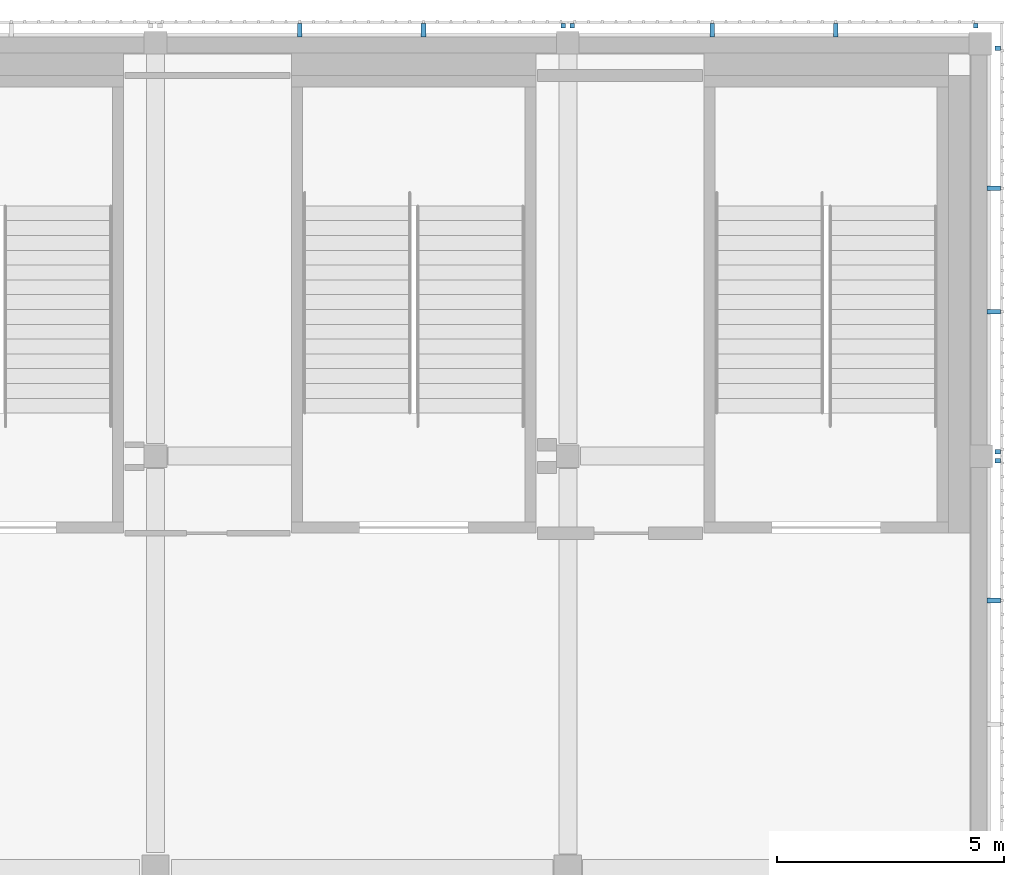
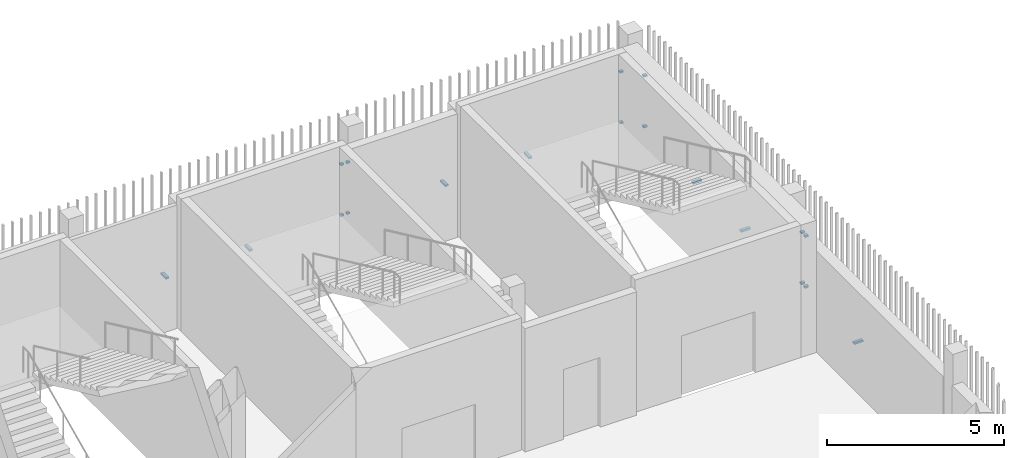
# One storey, part 102 of 124: 19 discrete accessories.
"""IFC4 building model written with IfcOpenShell, lengths in metres."""

from ifc_helpers import new_model, si_unit, direction, frame, origin, origin_2d, place, context, subcontext, project, spatial, rectangle, extrude, material, type_object, element, save


model = new_model("IFC4")

# Units and contexts
model_context = context("Model", 3, precision=1e-05, world=origin(), true_north=direction((0.0, 1.0)))
body_context = subcontext(model_context, "Body", "Model", "MODEL_VIEW")
ifc_project = project(units=[si_unit("LENGTHUNIT", "METRE"), si_unit("AREAUNIT", "SQUARE_METRE"), si_unit("VOLUMEUNIT", "CUBIC_METRE"), si_unit("PLANEANGLEUNIT", "RADIAN"), si_unit("MASSUNIT", "GRAM", prefix="KILO")], contexts=[model_context])

# Site, building, storey
site_placement = place(None, origin())
site = spatial("IfcSite", under=ifc_project, at=site_placement, CompositionType="ELEMENT")
building_placement = place(site_placement, origin())
building = spatial("IfcBuilding", under=site, at=building_placement, Name="Shirokan Park Arena", CompositionType="ELEMENT")
storey_placement = place(building_placement, frame((0.0, 0.0, 20.02001953125)))
storey = spatial("IfcBuildingStorey", under=building, at=storey_placement, Name="L04", CompositionType="ELEMENT", Elevation=20.02001953125)

# Discrete accessories
ifc_material = material(Name="Steel S355", Category="steel")
discrete_accessory_type = type_object("IfcDiscreteAccessoryType", Name="Veil bracket 100x60", PredefinedType="BRACKET", material=ifc_material)
for number, where, z_axis, x_axis, name in (
    (1, (145.985107421875, 100.0, 1.070068359375), (0.0, 0.0, 1.0), (0.0, 1.0, 0.0), "Veil bracket east bay 11 L04 2"),
    (2, (145.985107421875, 100.0, 2.820068359375), (0.0, 0.0, 1.0), (0.0, 1.0, 0.0), "Veil bracket east bay 11 L04 4"),
):
    element("IfcDiscreteAccessory", number, at=place(storey_placement, frame(where, z_axis=z_axis, x_axis=x_axis)), inside=storey, type_object=discrete_accessory_type, Name=name, PredefinedType="BRACKET", context=body_context, shape_type="SweptSolid", body=[
        extrude(rectangle(XDim=0.10009765625, YDim=0.1201171875, at=origin_2d()), origin(), (0.0, 0.0, 1.0), 0.06005859375),
    ])
discrete_accessory_placement = place(storey_placement, frame((145.8974609375, 96.9150390625, 1.070068359375), z_axis=(0.0, 0.0, 1.0), x_axis=(0.0, 1.0, 0.0)))
element("IfcDiscreteAccessory", 3, at=discrete_accessory_placement, inside=storey, type_object=discrete_accessory_type, Name="Veil bracket east bay 11 L04 wall 2", PredefinedType="BRACKET", context=body_context, shape_type="SweptSolid", body=[
    extrude(rectangle(XDim=0.10009765625, YDim=0.294921875, at=origin_2d()), origin(), (0.0, 0.0, 1.0), 0.06005859375),
])
for number, where, z_axis, x_axis, name in (
    (4, (145.985107421875, 100.199951171875, 1.070068359375), (0.0, 0.0, 1.0), (0.0, 1.0, 0.0), "Veil bracket east bay 12 L04 1"),
    (5, (145.985107421875, 109.10009765625, 1.070068359375), (0.0, 0.0, 1.0), (0.0, 1.0, 0.0), "Veil bracket east bay 12 L04 2"),
    (6, (145.985107421875, 100.199951171875, 2.820068359375), (0.0, 0.0, 1.0), (0.0, 1.0, 0.0), "Veil bracket east bay 12 L04 3"),
    (7, (145.985107421875, 109.10009765625, 2.820068359375), (0.0, 0.0, 1.0), (0.0, 1.0, 0.0), "Veil bracket east bay 12 L04 4"),
):
    element("IfcDiscreteAccessory", number, at=place(storey_placement, frame(where, z_axis=z_axis, x_axis=x_axis)), inside=storey, type_object=discrete_accessory_type, Name=name, PredefinedType="BRACKET", context=body_context, shape_type="SweptSolid", body=[
        extrude(rectangle(XDim=0.10009765625, YDim=0.1201171875, at=origin_2d()), origin(), (0.0, 0.0, 1.0), 0.06005859375),
    ])
for number, where, z_axis, x_axis, name in (
    (8, (145.8974609375, 103.284912109375, 1.070068359375), (0.0, 0.0, 1.0), (0.0, 1.0, 0.0), "Veil bracket east bay 12 L04 wall 1"),
    (9, (145.8974609375, 106.014892578125, 1.070068359375), (0.0, 0.0, 1.0), (0.0, 1.0, 0.0), "Veil bracket east bay 12 L04 wall 2"),
):
    element("IfcDiscreteAccessory", number, at=place(storey_placement, frame(where, z_axis=z_axis, x_axis=x_axis)), inside=storey, type_object=discrete_accessory_type, Name=name, PredefinedType="BRACKET", context=body_context, shape_type="SweptSolid", body=[
        extrude(rectangle(XDim=0.10009765625, YDim=0.294921875, at=origin_2d()), origin(), (0.0, 0.0, 1.0), 0.06005859375),
    ])
for number, where, z_axis, x_axis, name in (
    (10, (145.5, 109.597412109375, 1.070068359375), (0.0, 0.0, 1.0), (-1.0, 0.0, 0.0), "Veil bracket north bay 1 L04 1"),
    (11, (136.60009765625, 109.597412109375, 1.070068359375), (0.0, 0.0, 1.0), (-1.0, 0.0, 0.0), "Veil bracket north bay 1 L04 2"),
    (12, (145.5, 109.597412109375, 2.820068359375), (0.0, 0.0, 1.0), (-1.0, 0.0, 0.0), "Veil bracket north bay 1 L04 3"),
    (13, (136.60009765625, 109.597412109375, 2.820068359375), (0.0, 0.0, 1.0), (-1.0, 0.0, 0.0), "Veil bracket north bay 1 L04 4"),
):
    element("IfcDiscreteAccessory", number, at=place(storey_placement, frame(where, z_axis=z_axis, x_axis=x_axis)), inside=storey, type_object=discrete_accessory_type, Name=name, PredefinedType="BRACKET", context=body_context, shape_type="SweptSolid", body=[
        extrude(rectangle(XDim=0.10009765625, YDim=0.094970703125, at=origin_2d()), origin(), (0.0, 0.0, 1.0), 0.06005859375),
    ])
for number, where, z_axis, x_axis, name in (
    (14, (142.4150390625, 109.49755859375, 1.070068359375), (0.0, 0.0, 1.0), (-1.0, 0.0, 0.0), "Veil bracket north bay 1 L04 wall 1"),
    (15, (139.68505859375, 109.49755859375, 1.070068359375), (0.0, 0.0, 1.0), (-1.0, 0.0, 0.0), "Veil bracket north bay 1 L04 wall 2"),
):
    element("IfcDiscreteAccessory", number, at=place(storey_placement, frame(where, z_axis=z_axis, x_axis=x_axis)), inside=storey, type_object=discrete_accessory_type, Name=name, PredefinedType="BRACKET", context=body_context, shape_type="SweptSolid", body=[
        extrude(rectangle(XDim=0.10009765625, YDim=0.294921875, at=origin_2d()), origin(), (0.0, 0.0, 1.0), 0.06005859375),
    ])
for number, where, z_axis, x_axis, name in (
    (16, (136.39990234375, 109.597412109375, 1.070068359375), (0.0, 0.0, 1.0), (-1.0, 0.0, 0.0), "Veil bracket north bay 2 L04 1"),
    (17, (136.39990234375, 109.597412109375, 2.820068359375), (0.0, 0.0, 1.0), (-1.0, 0.0, 0.0), "Veil bracket north bay 2 L04 3"),
):
    element("IfcDiscreteAccessory", number, at=place(storey_placement, frame(where, z_axis=z_axis, x_axis=x_axis)), inside=storey, type_object=discrete_accessory_type, Name=name, PredefinedType="BRACKET", context=body_context, shape_type="SweptSolid", body=[
        extrude(rectangle(XDim=0.10009765625, YDim=0.094970703125, at=origin_2d()), origin(), (0.0, 0.0, 1.0), 0.06005859375),
    ])
for number, where, z_axis, x_axis, name in (
    (18, (133.31494140625, 109.49755859375, 1.070068359375), (0.0, 0.0, 1.0), (-1.0, 0.0, 0.0), "Veil bracket north bay 2 L04 wall 1"),
    (19, (130.5849609375, 109.49755859375, 1.070068359375), (0.0, 0.0, 1.0), (-1.0, 0.0, 0.0), "Veil bracket north bay 2 L04 wall 2"),
):
    element("IfcDiscreteAccessory", number, at=place(storey_placement, frame(where, z_axis=z_axis, x_axis=x_axis)), inside=storey, type_object=discrete_accessory_type, Name=name, PredefinedType="BRACKET", context=body_context, shape_type="SweptSolid", body=[
        extrude(rectangle(XDim=0.10009765625, YDim=0.294921875, at=origin_2d()), origin(), (0.0, 0.0, 1.0), 0.06005859375),
    ])

save(model, "model.ifc")
